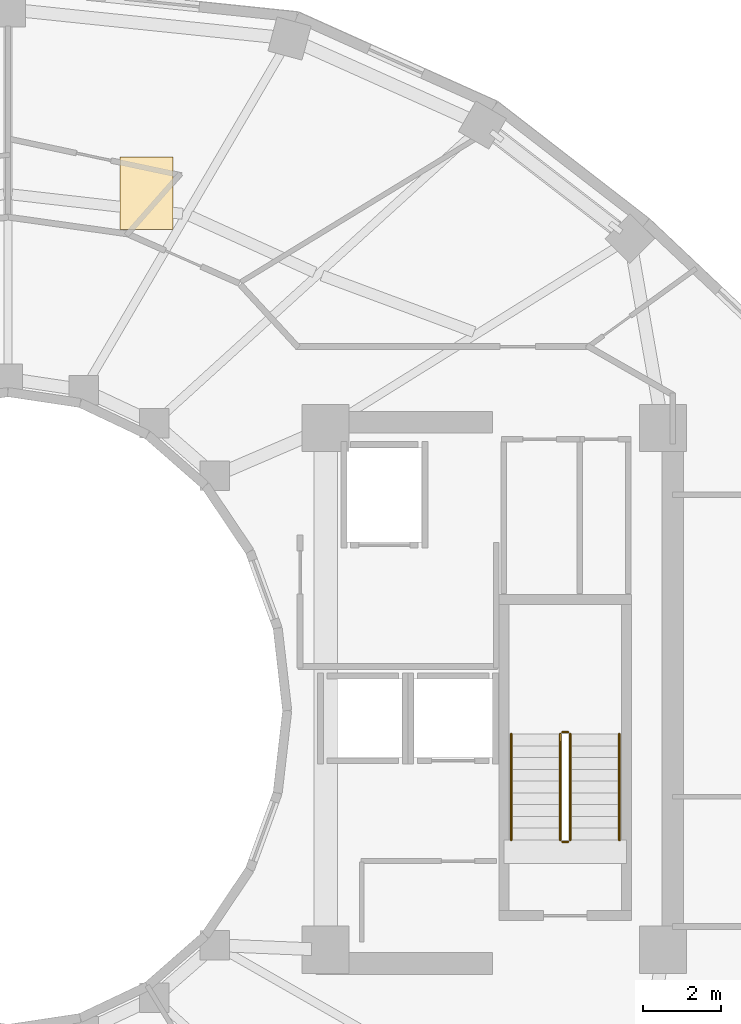
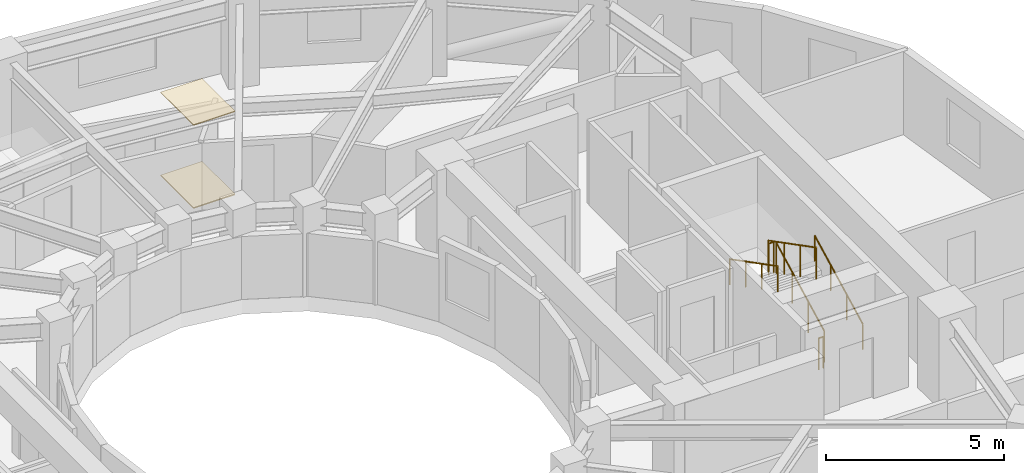
# One storey, part 9 of 9: 6 railings, 2 coverings.
"""IFC4 building model written with IfcOpenShell, lengths in metres."""

from ifc_helpers import new_model, si_unit, direction, frame, origin, origin_2d, place, context, subcontext, project, spatial, polyline, circle, outline, extrude, material, layer, layer_set, type_object, element, save


model = new_model("IFC4")

# Units and contexts
model_context = context("Model", 3, precision=1e-05, world=origin(), true_north=direction((0.0, 1.0)))
body_context = subcontext(model_context, "Body", "Model", "MODEL_VIEW")
ifc_project = project(units=[si_unit("LENGTHUNIT", "METRE"), si_unit("AREAUNIT", "SQUARE_METRE"), si_unit("VOLUMEUNIT", "CUBIC_METRE"), si_unit("PLANEANGLEUNIT", "RADIAN"), si_unit("MASSUNIT", "GRAM", prefix="KILO")], contexts=[model_context])

# Site, building, storey
site_placement = place(None, origin())
site = spatial("IfcSite", under=ifc_project, at=site_placement, CompositionType="ELEMENT")
building_placement = place(site_placement, origin())
building = spatial("IfcBuilding", under=site, at=building_placement, Name="Solvane Sanctuary Tower", CompositionType="ELEMENT")
storey_placement = place(building_placement, frame((0.0, 0.0, 180.800048828125)))
storey = spatial("IfcBuildingStorey", under=building, at=storey_placement, Name="L55", CompositionType="ELEMENT", Elevation=180.800048828125)

# Coverings
ifc_material_1 = material(Name="Acoustic Gypsum Partition Board")
ifc_layer_1 = layer(ifc_material_1, 0.02490234375, Name="Acoustic Gypsum Partition Board")
ifc_layer_set_1 = layer_set([ifc_layer_1], Name="Acoustic Gypsum Partition Board")
covering_type_1 = type_object("IfcCoveringType", Name="Covering CLG-ACOUST", PredefinedType="CEILING", material=ifc_layer_set_1)
covering_1_placement = place(storey_placement, frame((0.0, 0.0, 2.849853515625)))
element("IfcCovering", 1, at=covering_1_placement, inside=storey, type_object=covering_type_1, Name="L55 Unit Acoustic Ceiling Panel 1", PredefinedType="CEILING", context=body_context, shape_type="SweptSolid", body=[
    extrude(outline(polyline([(34.85791015625, 35.260009765625), (36.2080078125, 35.260009765625), (36.2080078125, 37.110107421875), (34.85791015625, 37.110107421875), (34.85791015625, 35.260009765625)])), origin(), (0.0, 0.0, 1.0), 0.030029296875),
])
ifc_material_2 = material(Name="Ceramic Tile Finish")
ifc_layer_2 = layer(ifc_material_2, 0.030029296875, Name="Ceramic Tile Finish")
ifc_layer_set_2 = layer_set([ifc_layer_2], Name="Ceramic Tile Finish")
covering_type_2 = type_object("IfcCoveringType", Name="Covering FLR-TERRAZZO", PredefinedType="FLOORING", material=ifc_layer_set_2)
covering_2_placement = place(storey_placement, origin())
element("IfcCovering", 2, at=covering_2_placement, inside=storey, type_object=covering_type_2, Name="L55 Unit Terrazzo Inlay 1", PredefinedType="FLOORING", context=body_context, shape_type="SweptSolid", body=[
    extrude(outline(polyline([(34.85791015625, 35.260009765625), (36.2080078125, 35.260009765625), (36.2080078125, 37.110107421875), (34.85791015625, 37.110107421875), (34.85791015625, 35.260009765625)])), origin(), (0.0, 0.0, 1.0), 0.034912109375),
])

# Railings
ifc_material_3 = material(Name="Architectural Stainless Steel 316", Category="steel")
railing_type_1 = type_object("IfcRailingType", Name="Railing GR-BALC-1150", PredefinedType="BALUSTRADE", material=ifc_material_3)
railing_1_placement = place(storey_placement, frame((46.340087890625, 19.699951171875, 0.155029296875)))
element("IfcRailing", 3, at=railing_1_placement, inside=storey, type_object=railing_type_1, Name="L55 ST-2 stair guard 1", PredefinedType="BALUSTRADE", context=body_context, shape_type="SweptSolid", body=[
    extrude(circle(Radius=0.02392578125, at=origin_2d()), frame((0.0, 0.0, 1.076171875), z_axis=(0.0, 0.888419900624, 0.459031676658), x_axis=(-1.0, 0.0, 0.0)), (0.0, 0.0, 1.0), 3.0390625),
    extrude(circle(Radius=0.02099609375, at=origin_2d()), origin(), (0.0, 0.0, 1.0), 1.052001953125),
    extrude(circle(Radius=0.02099609375, at=origin_2d()), frame((0.0, 0.89990234375, 0.465087890625)), (0.0, 0.0, 1.0), 1.052001953125),
    extrude(circle(Radius=0.02099609375, at=origin_2d()), frame((0.0, 1.800048828125, 0.929931640625)), (0.0, 0.0, 1.0), 1.052001953125),
    extrude(circle(Radius=0.02099609375, at=origin_2d()), frame((0.0, 2.699951171875, 1.39501953125)), (0.0, 0.0, 1.0), 1.052001953125),
])
railing_2_placement = place(storey_placement, frame((46.2900390625, 22.449951171875, 1.550048828125)))
element("IfcRailing", 4, at=railing_2_placement, inside=storey, type_object=railing_type_1, Name="L55 ST-2 stair guard 2", PredefinedType="BALUSTRADE", context=body_context, shape_type="SweptSolid", body=[
    extrude(circle(Radius=0.02392578125, at=origin_2d()), frame((0.0, 0.0, 1.076171875), z_axis=(-1.0, 0.0, 0.0), x_axis=(0.0, -1.0, 0.0)), (0.0, 0.0, 1.0), 0.16015625),
    extrude(circle(Radius=0.02099609375, at=origin_2d()), origin(), (0.0, 0.0, 1.0), 1.052001953125),
    extrude(circle(Radius=0.02099609375, at=origin_2d()), frame((-0.16015625, 0.0, 0.0)), (0.0, 0.0, 1.0), 1.052001953125),
])
railing_3_placement = place(storey_placement, frame((46.080078125, 22.39990234375, 1.704833984375)))
element("IfcRailing", 5, at=railing_3_placement, inside=storey, type_object=railing_type_1, Name="L55 ST-2 stair guard 3", PredefinedType="BALUSTRADE", context=body_context, shape_type="SweptSolid", body=[
    extrude(circle(Radius=0.02392578125, at=origin_2d()), frame((0.0, 0.0, 1.076171875), z_axis=(0.0, -0.888419900624, 0.459031676658), x_axis=(1.0, 0.0, 0.0)), (0.0, 0.0, 1.0), 3.0390625),
    extrude(circle(Radius=0.02099609375, at=origin_2d()), origin(), (0.0, 0.0, 1.0), 1.052001953125),
    extrude(circle(Radius=0.02099609375, at=origin_2d()), frame((0.0, -0.89990234375, 0.465087890625)), (0.0, 0.0, 1.0), 1.052001953125),
    extrude(circle(Radius=0.02099609375, at=origin_2d()), frame((0.0, -1.800048828125, 0.929931640625)), (0.0, 0.0, 1.0), 1.052001953125),
    extrude(circle(Radius=0.02099609375, at=origin_2d()), frame((0.0, -2.699951171875, 1.39501953125)), (0.0, 0.0, 1.0), 1.052001953125),
])
railing_4_placement = place(storey_placement, frame((46.2900390625, 19.64990234375, 0.0)))
element("IfcRailing", 6, at=railing_4_placement, inside=storey, type_object=railing_type_1, Name="L55 ST-2 stair guard 4", PredefinedType="BALUSTRADE", context=body_context, shape_type="SweptSolid", body=[
    extrude(circle(Radius=0.02392578125, at=origin_2d()), frame((0.0, 0.0, 1.076171875), z_axis=(-1.0, 0.0, 0.0), x_axis=(0.0, -1.0, 0.0)), (0.0, 0.0, 1.0), 0.16015625),
    extrude(circle(Radius=0.02099609375, at=origin_2d()), origin(), (0.0, 0.0, 1.0), 1.052001953125),
    extrude(circle(Radius=0.02099609375, at=origin_2d()), frame((-0.16015625, 0.0, 0.0)), (0.0, 0.0, 1.0), 1.052001953125),
])
railing_type_2 = type_object("IfcRailingType", Name="Railing HR-STAIR-920", PredefinedType="HANDRAIL", material=ifc_material_3)
railing_5_placement = place(storey_placement, frame((47.590087890625, 19.699951171875, 0.155029296875)))
element("IfcRailing", 7, at=railing_5_placement, inside=storey, type_object=railing_type_2, Name="L55 ST-2 stair handrail 1", PredefinedType="HANDRAIL", context=body_context, shape_type="SweptSolid", body=[
    extrude(circle(Radius=0.02392578125, at=origin_2d()), frame((0.0, 0.0, 0.8759765625), z_axis=(0.0, 0.888419900624, 0.459031676658), x_axis=(-1.0, 0.0, 0.0)), (0.0, 0.0, 1.0), 3.0390625),
    extrude(circle(Radius=0.02099609375, at=origin_2d()), origin(), (0.0, 0.0, 1.0), 0.851806640625),
    extrude(circle(Radius=0.02099609375, at=origin_2d()), frame((0.0, 0.89990234375, 0.465087890625)), (0.0, 0.0, 1.0), 0.851806640625),
    extrude(circle(Radius=0.02099609375, at=origin_2d()), frame((0.0, 1.800048828125, 0.929931640625)), (0.0, 0.0, 1.0), 0.851806640625),
    extrude(circle(Radius=0.02099609375, at=origin_2d()), frame((0.0, 2.699951171875, 1.39501953125)), (0.0, 0.0, 1.0), 0.851806640625),
])
railing_6_placement = place(storey_placement, frame((44.830078125, 22.39990234375, 1.704833984375)))
element("IfcRailing", 8, at=railing_6_placement, inside=storey, type_object=railing_type_2, Name="L55 ST-2 stair handrail 2", PredefinedType="HANDRAIL", context=body_context, shape_type="SweptSolid", body=[
    extrude(circle(Radius=0.02392578125, at=origin_2d()), frame((0.0, 0.0, 0.8759765625), z_axis=(0.0, -0.888419900624, 0.459031676658), x_axis=(1.0, 0.0, 0.0)), (0.0, 0.0, 1.0), 3.0390625),
    extrude(circle(Radius=0.02099609375, at=origin_2d()), origin(), (0.0, 0.0, 1.0), 0.851806640625),
    extrude(circle(Radius=0.02099609375, at=origin_2d()), frame((0.0, -0.89990234375, 0.465087890625)), (0.0, 0.0, 1.0), 0.851806640625),
    extrude(circle(Radius=0.02099609375, at=origin_2d()), frame((0.0, -1.800048828125, 0.929931640625)), (0.0, 0.0, 1.0), 0.851806640625),
    extrude(circle(Radius=0.02099609375, at=origin_2d()), frame((0.0, -2.699951171875, 1.39501953125)), (0.0, 0.0, 1.0), 0.851806640625),
])

save(model, "model.ifc")
